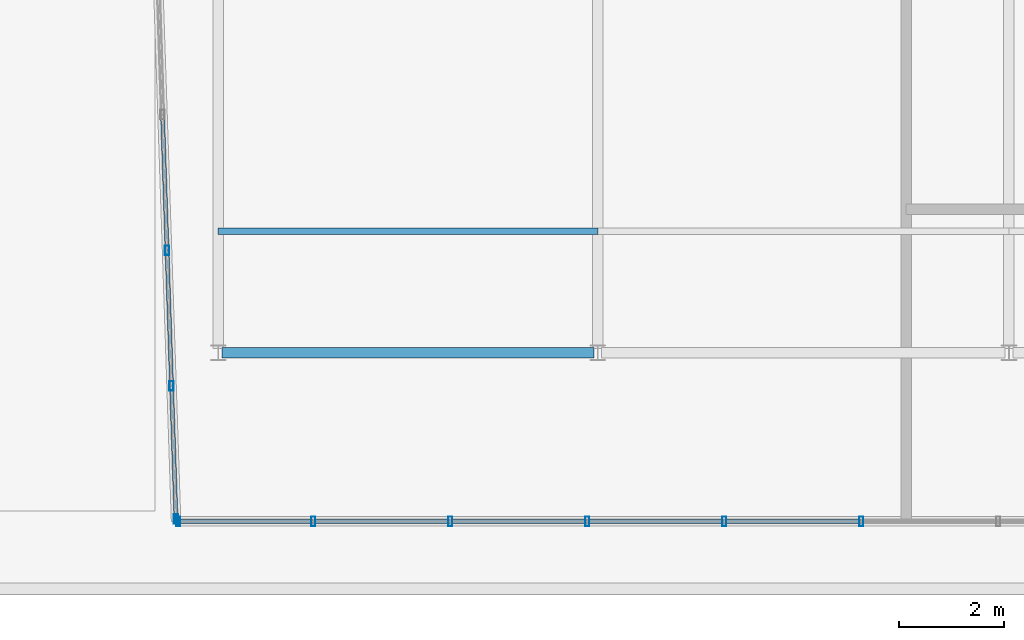
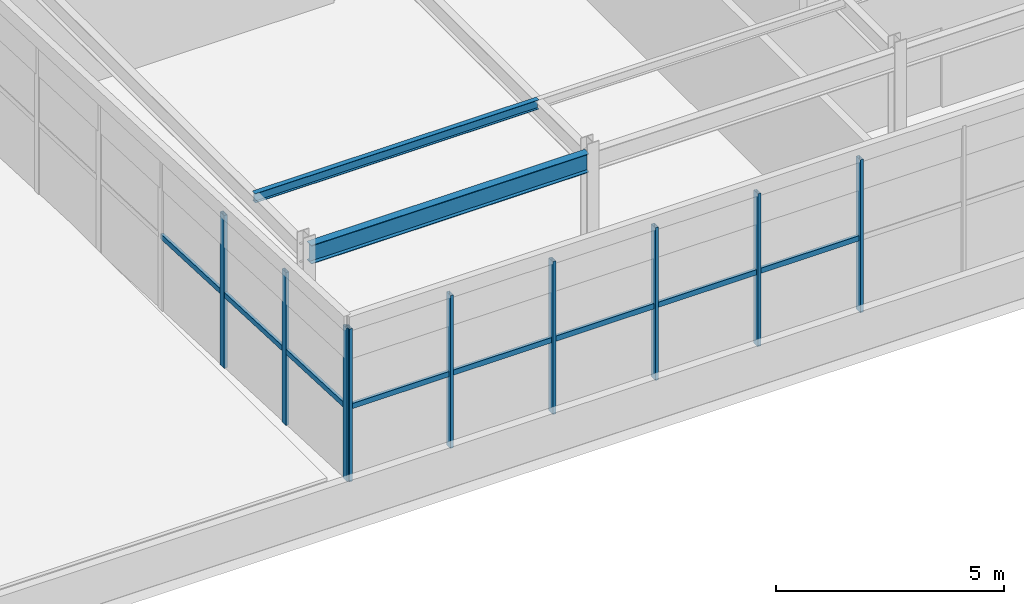
# One storey, part 15 of 37: 18 members, 1 beam, 2 elements without a shape of their own.
"""IFC4 building model written with IfcOpenShell, lengths in metres."""

from ifc_helpers import new_model, si_unit, direction, frame, origin, origin_2d, place, context, subcontext, project, spatial, hollow_rectangle, i_section, extrude, source, transform, mapped, material, material_profile, profile_set, type_object, element, aggregate, save


model = new_model("IFC4")

# Units and contexts
model_context = context("Model", 3, precision=1e-05, world=origin(), true_north=direction((0.0, 1.0)))
body_context = subcontext(model_context, "Body", "Model", "MODEL_VIEW")
ifc_project = project(units=[si_unit("LENGTHUNIT", "METRE"), si_unit("AREAUNIT", "SQUARE_METRE"), si_unit("VOLUMEUNIT", "CUBIC_METRE"), si_unit("PLANEANGLEUNIT", "RADIAN"), si_unit("MASSUNIT", "GRAM", prefix="KILO")], contexts=[model_context])

# Site, building, storey
site_placement = place(None, origin())
site = spatial("IfcSite", under=ifc_project, at=site_placement, CompositionType="ELEMENT")
building_placement = place(site_placement, origin())
building = spatial("IfcBuilding", under=site, at=building_placement, Name="Trelvane Seafront Commons", CompositionType="ELEMENT")
storey_placement = place(building_placement, frame((0.0, 0.0, 303.5)))
storey = spatial("IfcBuildingStorey", under=building, at=storey_placement, Name="L79", CompositionType="ELEMENT", Elevation=303.5)

# Beam
ifc_material_1 = material(Name="Steel SM355 (S355)", Category="steel")
ifc_material_profile_1 = material_profile(ifc_material_1, i_section(OverallWidth=0.199951171875, OverallDepth=0.5, WebThickness=0.010009765625, FlangeThickness=0.01611328125, at=origin_2d()), Name="H-500x200x10x16")
ifc_profile_set_1 = profile_set([ifc_material_profile_1], Name="Steel SM355 (S355)")
beam_type = type_object("IfcBeamType", Name="STR-CROWN-FRAME-RING", PredefinedType="SPANDREL", material=ifc_profile_set_1)
shared_shape_1 = source(origin(), body_context, "Body", "SweptSolid", [
    extrude(i_section(OverallWidth=0.199951171875, OverallDepth=0.5, WebThickness=0.010009765625, FlangeThickness=0.01611328125, at=origin_2d()), origin(), (0.0, 0.0, 1.0), 7.050048828125),
])
beam_placement = place(storey_placement, frame((43.875, 18.199951171875, 3.85009765625), z_axis=(1.0, 0.0, 0.0), x_axis=(0.0, 1.0, 0.0)))
element("IfcBeam", 1, at=beam_placement, inside=storey, type_object=beam_type, Name="L79 CROWN FRAME Ring Beam G-05", PredefinedType="SPANDREL", context=body_context, shape_type="MappedRepresentation", body=[
    mapped(shared_shape_1, transform((0.0, 0.0, 0.0), x_axis=(1.0, 0.0, 0.0), y_axis=(0.0, 1.0, 0.0), z_axis=(0.0, 0.0, 1.0), scale=1.0)),
])

# Member
ifc_material_profile_2 = material_profile(ifc_material_1, i_section(OverallWidth=0.125, OverallDepth=0.25, WebThickness=0.006103515625, FlangeThickness=0.009033203125, at=origin_2d()), Name="H-250x125x6x9")
ifc_profile_set_2 = profile_set([ifc_material_profile_2], Name="Steel SM355 (S355)")
member_type_1 = type_object("IfcMemberType", Name="STR-PUR-H250", PredefinedType="PURLIN", material=ifc_profile_set_2)
shared_shape_2 = source(origin(), body_context, "Body", "SweptSolid", [
    extrude(i_section(OverallWidth=0.125, OverallDepth=0.25, WebThickness=0.006103515625, FlangeThickness=0.009033203125, at=origin_2d()), origin(), (0.0, 0.0, 1.0), 7.199951171875),
])
member_1_placement = place(storey_placement, frame((43.800048828125, 20.5, 3.97509765625), z_axis=(1.0, 0.0, 0.0), x_axis=(0.0, 1.0, 0.0)))
element("IfcMember", 2, at=member_1_placement, inside=storey, type_object=member_type_1, Name="L79 Crown Roof Purlin PR-1", PredefinedType="PURLIN", context=body_context, shape_type="MappedRepresentation", body=[
    mapped(shared_shape_2, transform((0.0, 0.0, 0.0), x_axis=(1.0, 0.0, 0.0), y_axis=(0.0, 1.0, 0.0), z_axis=(0.0, 0.0, 1.0), scale=1.0)),
])

# Curtain wall, members
ifc_material_2 = material(Name="Anodised pale-silver aluminium", Category="aluminium")
curtain_wall_type = type_object("IfcCurtainWallType", Name="ARCH-CW6-CROWN", PredefinedType="NOTDEFINED", material=ifc_material_2)
curtain_wall_1_placement = place(storey_placement, origin())
curtain_wall_1 = element("IfcCurtainWall", 3, at=curtain_wall_1_placement, inside=storey, type_object=curtain_wall_type, Name="CW-L79-0131", PredefinedType="NOTDEFINED")
ifc_material_profile_3 = material_profile(ifc_material_2, hollow_rectangle(XDim=0.080078125, YDim=0.179931640625, WallThickness=0.00439453125, at=origin_2d()), Name="MULL-80x180x4.5")
ifc_profile_set_3 = profile_set([ifc_material_profile_3], Name="Anodised pale-silver aluminium")
member_type_2 = type_object("IfcMemberType", Name="ARCH-CW-MULL-180", PredefinedType="MULLION", material=ifc_profile_set_3)
shared_shape_3 = source(origin(), body_context, "Body", "SweptSolid", [
    extrude(hollow_rectangle(XDim=0.080078125, YDim=0.179931640625, WallThickness=0.00439453125, at=origin_2d()), origin(), (0.0, 0.0, 1.0), 4.10009765625),
])
member_2_placement = place(storey_placement, frame((56.0, 15.0, 0.0), z_axis=(0.0, 0.0, 1.0), x_axis=(1.0, 0.0, 0.0)))
member_2 = element("IfcMember", 4, at=member_2_placement, type_object=member_type_2, Name="CW-L79-0131-M03", PredefinedType="MULLION", context=body_context, shape_type="MappedRepresentation", body=[
    mapped(shared_shape_3, transform((0.0, 0.0, 0.0), x_axis=(1.0, 0.0, 0.0), y_axis=(0.0, 1.0, 0.0), z_axis=(0.0, 0.0, 1.0), scale=1.0)),
])
member_3_placement = place(storey_placement, frame((53.39990234375, 15.0, 0.0), z_axis=(0.0, 0.0, 1.0), x_axis=(1.0, 0.0, 0.0)))
member_3 = element("IfcMember", 5, at=member_3_placement, type_object=member_type_2, Name="CW-L79-0131-M04", PredefinedType="MULLION", context=body_context, shape_type="MappedRepresentation", body=[
    mapped(shared_shape_3, transform((0.0, 0.0, 0.0), x_axis=(1.0, 0.0, 0.0), y_axis=(0.0, 1.0, 0.0), z_axis=(0.0, 0.0, 1.0), scale=1.0)),
])
member_4_placement = place(storey_placement, frame((50.800048828125, 15.0, 0.0), z_axis=(0.0, 0.0, 1.0), x_axis=(1.0, 0.0, 0.0)))
member_4 = element("IfcMember", 6, at=member_4_placement, type_object=member_type_2, Name="CW-L79-0131-M05", PredefinedType="MULLION", context=body_context, shape_type="MappedRepresentation", body=[
    mapped(shared_shape_3, transform((0.0, 0.0, 0.0), x_axis=(1.0, 0.0, 0.0), y_axis=(0.0, 1.0, 0.0), z_axis=(0.0, 0.0, 1.0), scale=1.0)),
])
member_5_placement = place(storey_placement, frame((48.199951171875, 15.0, 0.0), z_axis=(0.0, 0.0, 1.0), x_axis=(1.0, 0.0, 0.0)))
member_5 = element("IfcMember", 7, at=member_5_placement, type_object=member_type_2, Name="CW-L79-0131-M06", PredefinedType="MULLION", context=body_context, shape_type="MappedRepresentation", body=[
    mapped(shared_shape_3, transform((0.0, 0.0, 0.0), x_axis=(1.0, 0.0, 0.0), y_axis=(0.0, 1.0, 0.0), z_axis=(0.0, 0.0, 1.0), scale=1.0)),
])
member_6_placement = place(storey_placement, frame((45.60009765625, 15.0, 0.0), z_axis=(0.0, 0.0, 1.0), x_axis=(1.0, 0.0, 0.0)))
member_6 = element("IfcMember", 8, at=member_6_placement, type_object=member_type_2, Name="CW-L79-0131-M07", PredefinedType="MULLION", context=body_context, shape_type="MappedRepresentation", body=[
    mapped(shared_shape_3, transform((0.0, 0.0, 0.0), x_axis=(1.0, 0.0, 0.0), y_axis=(0.0, 1.0, 0.0), z_axis=(0.0, 0.0, 1.0), scale=1.0)),
])
member_7_placement = place(storey_placement, frame((43.0400390625, 15.0, 0.0), z_axis=(0.0, 0.0, 1.0), x_axis=(1.0, 0.0, 0.0)))
member_7 = element("IfcMember", 9, at=member_7_placement, type_object=member_type_2, Name="CW-L79-0131-M08", PredefinedType="MULLION", context=body_context, shape_type="MappedRepresentation", body=[
    mapped(shared_shape_3, transform((0.0, 0.0, 0.0), x_axis=(1.0, 0.0, 0.0), y_axis=(0.0, 1.0, 0.0), z_axis=(0.0, 0.0, 1.0), scale=1.0)),
])

curtain_wall_2_placement = place(storey_placement, origin())
curtain_wall_2 = element("IfcCurtainWall", 10, at=curtain_wall_2_placement, inside=storey, type_object=curtain_wall_type, Name="CW-L79-0132", PredefinedType="NOTDEFINED")
member_8_placement = place(storey_placement, frame((42.998779296875, 15.0400390625, 0.0), z_axis=(0.0, 0.0, 1.0), x_axis=(1.0, 0.0, 0.0)))
member_8 = element("IfcMember", 11, at=member_8_placement, type_object=member_type_2, Name="CW-L79-0132-M00", PredefinedType="MULLION", context=body_context, shape_type="MappedRepresentation", body=[
    mapped(shared_shape_3, transform((0.0, 0.0, 0.0), x_axis=(1.0, 0.0, 0.0), y_axis=(0.0, 1.0, 0.0), z_axis=(0.0, 0.0, 1.0), scale=1.0)),
])
member_9_placement = place(storey_placement, frame((42.914306640625, 17.5712890625, 0.0), z_axis=(0.0, 0.0, 1.0), x_axis=(1.0, 0.0, 0.0)))
member_9 = element("IfcMember", 12, at=member_9_placement, type_object=member_type_2, Name="CW-L79-0132-M01", PredefinedType="MULLION", context=body_context, shape_type="MappedRepresentation", body=[
    mapped(shared_shape_3, transform((0.0, 0.0, 0.0), x_axis=(1.0, 0.0, 0.0), y_axis=(0.0, 1.0, 0.0), z_axis=(0.0, 0.0, 1.0), scale=1.0)),
])
member_10_placement = place(storey_placement, frame((42.82861328125, 20.142822265625, 0.0), z_axis=(0.0, 0.0, 1.0), x_axis=(1.0, 0.0, 0.0)))
member_10 = element("IfcMember", 13, at=member_10_placement, type_object=member_type_2, Name="CW-L79-0132-M02", PredefinedType="MULLION", context=body_context, shape_type="MappedRepresentation", body=[
    mapped(shared_shape_3, transform((0.0, 0.0, 0.0), x_axis=(1.0, 0.0, 0.0), y_axis=(0.0, 1.0, 0.0), z_axis=(0.0, 0.0, 1.0), scale=1.0)),
])

# Member
ifc_material_profile_4 = material_profile(ifc_material_2, hollow_rectangle(XDim=0.074951171875, YDim=0.139892578125, WallThickness=0.00390625, at=origin_2d()), Name="TRAN-75x140x4")
ifc_profile_set_4 = profile_set([ifc_material_profile_4], Name="Anodised pale-silver aluminium")
member_type_3 = type_object("IfcMemberType", Name="ARCH-CW-TRAN-140", PredefinedType="USERDEFINED", material=ifc_profile_set_4)
shared_shape_4 = source(origin(), body_context, "Body", "SweptSolid", [
    extrude(hollow_rectangle(XDim=0.074951171875, YDim=0.139892578125, WallThickness=0.00390625, at=origin_2d()), origin(), (0.0, 0.0, 1.0), 2.576171875),
])
member_11_placement = place(storey_placement, frame((50.7880859375, 15.0, 1.968017578125), z_axis=(-1.0, 0.0, 0.0), x_axis=(0.0, -1.0, 0.0)))
member_11 = element("IfcMember", 14, at=member_11_placement, type_object=member_type_3, Name="CW-L79-0131-T05", ObjectType="TRANSOM", PredefinedType="USERDEFINED", context=body_context, shape_type="MappedRepresentation", body=[
    mapped(shared_shape_4, transform((0.0, 0.0, 0.0), x_axis=(1.0, 0.0, 0.0), y_axis=(0.0, 1.0, 0.0), z_axis=(0.0, 0.0, 1.0), scale=1.0)),
])

shared_shape_5 = source(origin(), body_context, "Body", "SweptSolid", [
    extrude(hollow_rectangle(XDim=0.074951171875, YDim=0.139892578125, WallThickness=0.00390625, at=origin_2d()), origin(), (0.0, 0.0, 1.0), 2.575927734375),
])
member_12_placement = place(storey_placement, frame((55.988037109375, 15.0, 1.968017578125), z_axis=(-1.0, 0.0, 0.0), x_axis=(0.0, -1.0, 0.0)))
member_12 = element("IfcMember", 15, at=member_12_placement, type_object=member_type_3, Name="CW-L79-0131-T03", ObjectType="TRANSOM", PredefinedType="USERDEFINED", context=body_context, shape_type="MappedRepresentation", body=[
    mapped(shared_shape_5, transform((0.0, 0.0, 0.0), x_axis=(1.0, 0.0, 0.0), y_axis=(0.0, 1.0, 0.0), z_axis=(0.0, 0.0, 1.0), scale=1.0)),
])

member_13_placement = place(storey_placement, frame((53.387939453125, 15.0, 1.968017578125), z_axis=(-1.0, 0.0, 0.0), x_axis=(0.0, -1.0, 0.0)))
member_13 = element("IfcMember", 16, at=member_13_placement, type_object=member_type_3, Name="CW-L79-0131-T04", ObjectType="TRANSOM", PredefinedType="USERDEFINED", context=body_context, shape_type="MappedRepresentation", body=[
    mapped(shared_shape_5, transform((0.0, 0.0, 0.0), x_axis=(1.0, 0.0, 0.0), y_axis=(0.0, 1.0, 0.0), z_axis=(0.0, 0.0, 1.0), scale=1.0)),
])

member_14_placement = place(storey_placement, frame((48.18798828125, 15.0, 1.968017578125), z_axis=(-1.0, 0.0, 0.0), x_axis=(0.0, -1.0, 0.0)))
member_14 = element("IfcMember", 17, at=member_14_placement, type_object=member_type_3, Name="CW-L79-0131-T06", ObjectType="TRANSOM", PredefinedType="USERDEFINED", context=body_context, shape_type="MappedRepresentation", body=[
    mapped(shared_shape_5, transform((0.0, 0.0, 0.0), x_axis=(1.0, 0.0, 0.0), y_axis=(0.0, 1.0, 0.0), z_axis=(0.0, 0.0, 1.0), scale=1.0)),
])

member_15_placement = place(storey_placement, frame((45.587890625, 15.0, 1.968017578125), z_axis=(-1.0, 0.0, 0.0), x_axis=(0.0, -1.0, 0.0)))
member_15 = element("IfcMember", 18, at=member_15_placement, type_object=member_type_3, Name="CW-L79-0131-T07", ObjectType="TRANSOM", PredefinedType="USERDEFINED", context=body_context, shape_type="MappedRepresentation", body=[
    mapped(shared_shape_5, transform((0.0, 0.0, 0.0), x_axis=(1.0, 0.0, 0.0), y_axis=(0.0, 1.0, 0.0), z_axis=(0.0, 0.0, 1.0), scale=1.0)),
])

aggregate(curtain_wall_1, [member_2, member_3, member_4, member_5, member_6, member_7, member_12, member_13, member_11, member_14, member_15])

shared_shape_6 = source(origin(), body_context, "Body", "SweptSolid", [
    extrude(hollow_rectangle(XDim=0.074951171875, YDim=0.139892578125, WallThickness=0.00390625, at=origin_2d()), origin(), (0.0, 0.0, 1.0), 2.548828125),
])
member_16_placement = place(storey_placement, frame((42.99951171875, 15.011962890625, 1.968017578125), z_axis=(-0.033238285133, 0.999447455548, 0.0), x_axis=(-0.999447455548, -0.033238285133, 0.0)))
member_16 = element("IfcMember", 19, at=member_16_placement, type_object=member_type_3, Name="CW-L79-0132-T00", ObjectType="TRANSOM", PredefinedType="USERDEFINED", context=body_context, shape_type="MappedRepresentation", body=[
    mapped(shared_shape_6, transform((0.0, 0.0, 0.0), x_axis=(1.0, 0.0, 0.0), y_axis=(0.0, 1.0, 0.0), z_axis=(0.0, 0.0, 1.0), scale=1.0)),
])

member_17_placement = place(storey_placement, frame((42.913818359375, 17.58349609375, 1.968017578125), z_axis=(-0.033238285133, 0.999447455548, 0.0), x_axis=(-0.999447455548, -0.033238285133, 0.0)))
member_17 = element("IfcMember", 20, at=member_17_placement, type_object=member_type_3, Name="CW-L79-0132-T01", ObjectType="TRANSOM", PredefinedType="USERDEFINED", context=body_context, shape_type="MappedRepresentation", body=[
    mapped(shared_shape_6, transform((0.0, 0.0, 0.0), x_axis=(1.0, 0.0, 0.0), y_axis=(0.0, 1.0, 0.0), z_axis=(0.0, 0.0, 1.0), scale=1.0)),
])

shared_shape_7 = source(origin(), body_context, "Body", "SweptSolid", [
    extrude(hollow_rectangle(XDim=0.074951171875, YDim=0.139892578125, WallThickness=0.00390625, at=origin_2d()), origin(), (0.0, 0.0, 1.0), 2.549072265625),
])
member_18_placement = place(storey_placement, frame((42.828125, 20.15478515625, 1.968017578125), z_axis=(-0.033235103382, 0.999447561357, 0.0), x_axis=(-0.999447561357, -0.033235103382, 0.0)))
member_18 = element("IfcMember", 21, at=member_18_placement, type_object=member_type_3, Name="CW-L79-0132-T02", ObjectType="TRANSOM", PredefinedType="USERDEFINED", context=body_context, shape_type="MappedRepresentation", body=[
    mapped(shared_shape_7, transform((0.0, 0.0, 0.0), x_axis=(1.0, 0.0, 0.0), y_axis=(0.0, 1.0, 0.0), z_axis=(0.0, 0.0, 1.0), scale=1.0)),
])

aggregate(curtain_wall_2, [member_8, member_9, member_10, member_16, member_17, member_18])

save(model, "model.ifc")
